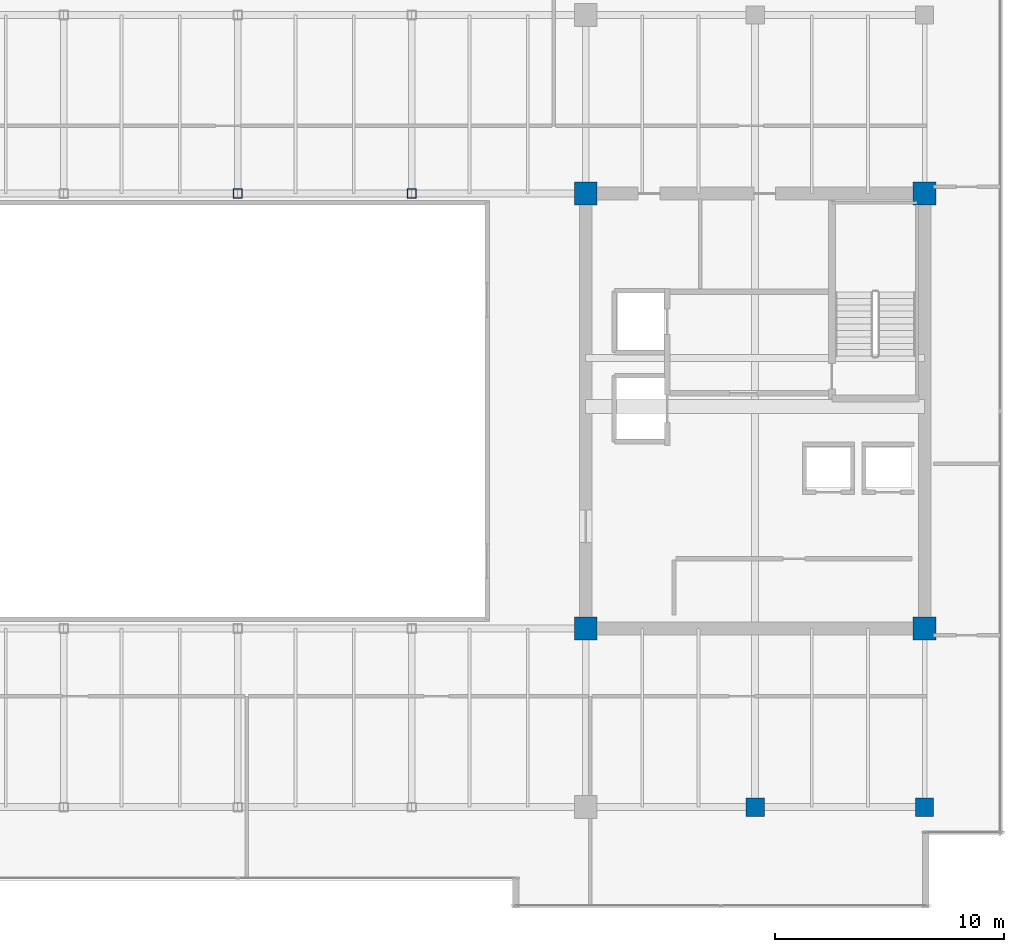
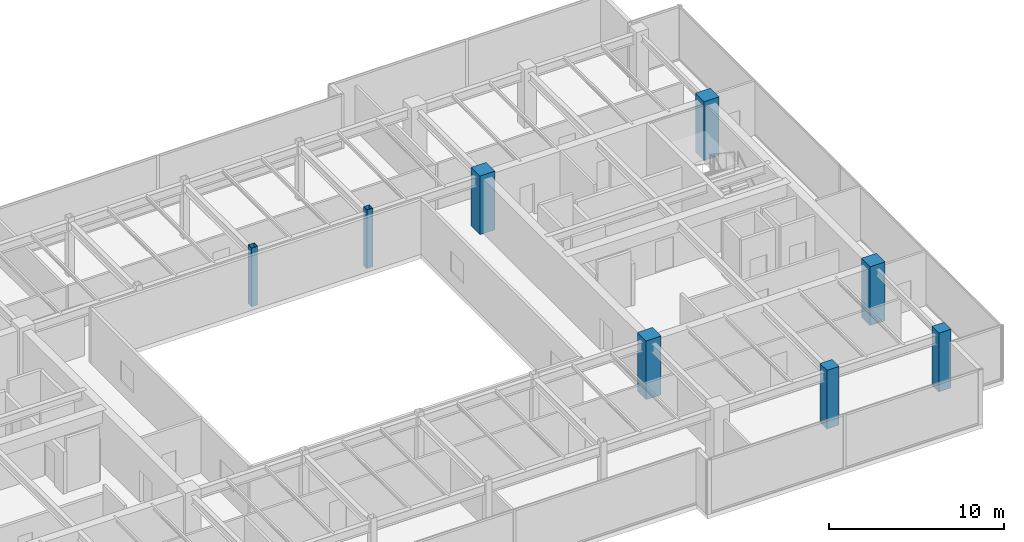
# One storey, part 2 of 33: 8 columns.
"""IFC4 building model written with IfcOpenShell, lengths in metres."""

from ifc_helpers import new_model, si_unit, direction, frame, origin, origin_2d, place, context, subcontext, project, spatial, rectangle, hollow_rectangle, extrude, source, transform, mapped, material, material_profile, profile_set, type_object, type_shapes, element, save


model = new_model("IFC4")

# Units and contexts
model_context = context("Model", 3, precision=1e-05, world=origin(), true_north=direction((0.0, 1.0)))
body_context = subcontext(model_context, "Body", "Model", "MODEL_VIEW")
ifc_project = project(units=[si_unit("LENGTHUNIT", "METRE"), si_unit("AREAUNIT", "SQUARE_METRE"), si_unit("VOLUMEUNIT", "CUBIC_METRE"), si_unit("PLANEANGLEUNIT", "RADIAN"), si_unit("MASSUNIT", "GRAM", prefix="KILO")], contexts=[model_context])

# Site, building, storey
site_placement = place(None, origin())
site = spatial("IfcSite", under=ifc_project, at=site_placement, CompositionType="ELEMENT")
building_placement = place(site_placement, origin())
building = spatial("IfcBuilding", under=site, at=building_placement, Name="Haelvirn Gate Laboratories", CompositionType="ELEMENT")
storey_placement = place(building_placement, frame((0.0, 0.0, 267.0)))
storey = spatial("IfcBuildingStorey", under=building, at=storey_placement, Name="L64", CompositionType="ELEMENT", Elevation=267.0)

# Columns
ifc_material_1 = material(Name="Concrete C60/75", Category="concrete")
ifc_material_profile_1 = material_profile(ifc_material_1, rectangle(XDim=1.0, YDim=1.0, at=origin_2d()), Name="RC-1000x1000")
ifc_profile_set_1 = profile_set([ifc_material_profile_1], Name="Concrete C60/75")
column_type_1 = type_object("IfcColumnType", Name="COL-RC-1000", PredefinedType="COLUMN", material=ifc_profile_set_1)
shared_shape_1 = source(origin(), body_context, "Body", "SweptSolid", [
    extrude(rectangle(XDim=1.0, YDim=1.0, at=origin_2d()), origin(), (0.0, 0.0, 1.0), 4.10009765625),
])
type_shapes(column_type_1, [shared_shape_1])
for number, where, z_axis, x_axis, name in (
    (1, (52.60009765625, 14.800048828125, 0.0), (0.0, 0.0, 1.0), (1.0, 0.0, 0.0), "L64 Column 8C"),
    (2, (67.39990234375, 14.800048828125, 0.0), (0.0, 0.0, 1.0), (1.0, 0.0, 0.0), "L64 Column 10C"),
    (3, (52.60009765625, 33.800048828125, 0.0), (0.0, 0.0, 1.0), (1.0, 0.0, 0.0), "L64 Column 8F"),
    (4, (67.39990234375, 33.800048828125, 0.0), (0.0, 0.0, 1.0), (1.0, 0.0, 0.0), "L64 Column 10F"),
):
    element("IfcColumn", number, at=place(storey_placement, frame(where, z_axis=z_axis, x_axis=x_axis)), inside=storey, type_object=column_type_1, Name=name, PredefinedType="COLUMN", context=body_context, shape_type="MappedRepresentation", body=[
        mapped(shared_shape_1, transform((0.0, 0.0, 0.0), scale=1.0)),
    ])
ifc_material_2 = material(Name="Concrete C50/60", Category="concrete")
ifc_material_profile_2 = material_profile(ifc_material_2, rectangle(XDim=0.800048828125, YDim=0.800048828125, at=origin_2d()), Name="RC-800x800")
ifc_profile_set_2 = profile_set([ifc_material_profile_2], Name="Concrete C50/60")
column_type_2 = type_object("IfcColumnType", Name="COL-RC-800", PredefinedType="COLUMN", material=ifc_profile_set_2)
shared_shape_2 = source(origin(), body_context, "Body", "SweptSolid", [
    extrude(rectangle(XDim=0.800048828125, YDim=0.800048828125, at=origin_2d()), origin(), (0.0, 0.0, 1.0), 4.10009765625),
])
type_shapes(column_type_2, [shared_shape_2])
for number, where, z_axis, x_axis, name in (
    (5, (60.0, 7.0, 0.0), (0.0, 0.0, 1.0), (1.0, 0.0, 0.0), "L64 Column 9B"),
    (6, (67.39990234375, 7.0, 0.0), (0.0, 0.0, 1.0), (1.0, 0.0, 0.0), "L64 Column 10B"),
):
    element("IfcColumn", number, at=place(storey_placement, frame(where, z_axis=z_axis, x_axis=x_axis)), inside=storey, type_object=column_type_2, Name=name, PredefinedType="COLUMN", context=body_context, shape_type="MappedRepresentation", body=[
        mapped(shared_shape_2, transform((0.0, 0.0, 0.0), scale=1.0)),
    ])
ifc_material_3 = material(Name="Steel SM355", Category="steel")
ifc_material_profile_3 = material_profile(ifc_material_3, hollow_rectangle(XDim=0.39990234375, YDim=0.39990234375, WallThickness=0.01904296875, at=origin_2d()), Name="BOX-400x400x19")
ifc_profile_set_3 = profile_set([ifc_material_profile_3], Name="Steel SM355")
column_type_3 = type_object("IfcColumnType", Name="COL-BOX-400", PredefinedType="COLUMN", material=ifc_profile_set_3)
shared_shape_3 = source(origin(), body_context, "Body", "SweptSolid", [
    extrude(hollow_rectangle(XDim=0.39990234375, YDim=0.39990234375, WallThickness=0.01904296875, at=origin_2d()), origin(), (0.0, 0.0, 1.0), 4.10009765625),
])
type_shapes(column_type_3, [shared_shape_3])
for number, where, z_axis, x_axis, name in (
    (7, (37.39990234375, 33.800048828125, 0.0), (0.0, 0.0, 1.0), (1.0, 0.0, 0.0), "L64 Column 6F"),
    (8, (45.0, 33.800048828125, 0.0), (0.0, 0.0, 1.0), (1.0, 0.0, 0.0), "L64 Column 7F"),
):
    element("IfcColumn", number, at=place(storey_placement, frame(where, z_axis=z_axis, x_axis=x_axis)), inside=storey, type_object=column_type_3, Name=name, PredefinedType="COLUMN", context=body_context, shape_type="MappedRepresentation", body=[
        mapped(shared_shape_3, transform((0.0, 0.0, 0.0), scale=1.0)),
    ])

save(model, "model.ifc")
